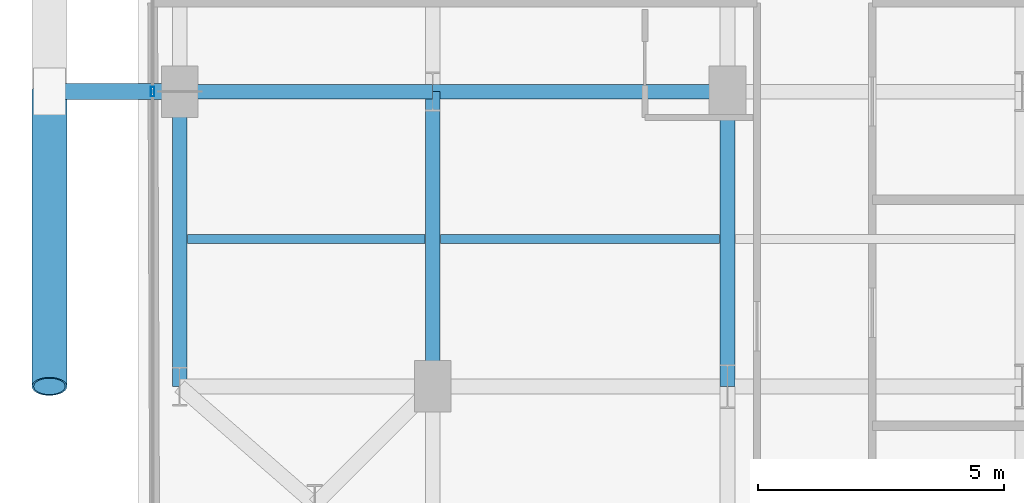
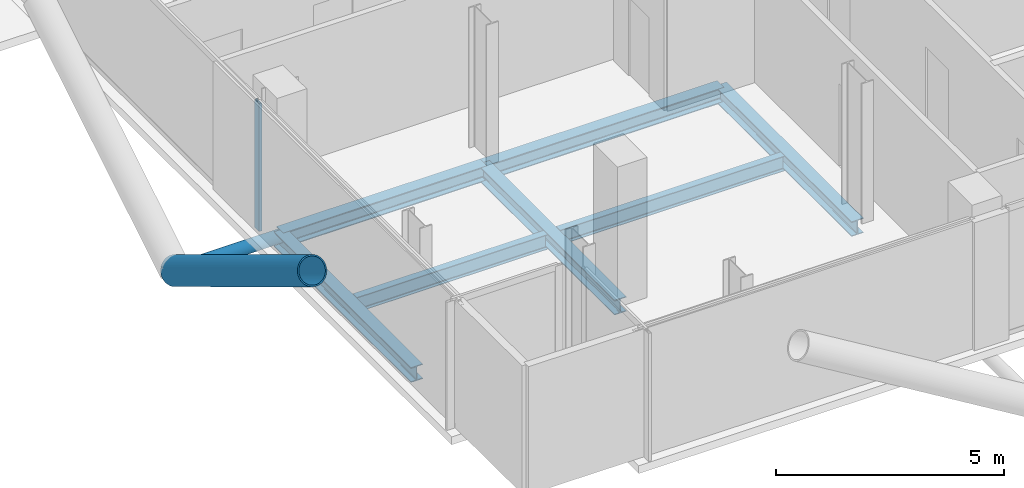
# One storey, part 3 of 25: 7 beams, 3 members, 1 element without a shape of its own.
"""IFC4 building model written with IfcOpenShell, lengths in metres."""

from ifc_helpers import new_model, si_unit, direction, frame, origin, origin_2d, place, context, subcontext, project, spatial, hollow_rectangle, hollow_circle, i_section, extrude, material, layer, layer_set, material_profile, profile_set, type_object, element, aggregate, save


model = new_model("IFC4")

# Units and contexts
model_context = context("Model", 3, precision=1e-05, world=origin(), true_north=direction((0.0, 1.0)))
body_context = subcontext(model_context, "Body", "Model", "MODEL_VIEW")
ifc_project = project(units=[si_unit("LENGTHUNIT", "METRE"), si_unit("AREAUNIT", "SQUARE_METRE"), si_unit("VOLUMEUNIT", "CUBIC_METRE"), si_unit("PLANEANGLEUNIT", "RADIAN"), si_unit("MASSUNIT", "GRAM", prefix="KILO"), si_unit("THERMODYNAMICTEMPERATUREUNIT", "KELVIN"), si_unit("POWERUNIT", "WATT")], contexts=[model_context])

# Site, building, storey
site_placement = place(None, origin())
site = spatial("IfcSite", under=ifc_project, at=site_placement, CompositionType="ELEMENT")
building_placement = place(site_placement, origin())
building = spatial("IfcBuilding", under=site, at=building_placement, Name="Svarakhadi Broadcast Tower", CompositionType="ELEMENT")
storey_placement = place(building_placement, frame((0.0, 0.0, 231.14990234375)))
storey = spatial("IfcBuildingStorey", under=building, at=storey_placement, Name="L57", CompositionType="ELEMENT", Elevation=231.14990234375)

# Beams
ifc_material_1 = material(Name="Steel S355J2 (IS 2062 E350C)", Category="steel")
ifc_material_profile_1 = material_profile(ifc_material_1, i_section(OverallWidth=0.179931640625, OverallDepth=0.39990234375, WebThickness=0.008544921875, FlangeThickness=0.013427734375, FilletRadius=0.02099609375, at=origin_2d()), Name="NPB 400x180x66")
ifc_profile_set_1 = profile_set([ifc_material_profile_1], Name="Steel S355J2 (IS 2062 E350C)")
beam_type_1 = type_object("IfcBeamType", Name="Beam_NPB400", PredefinedType="BEAM", material=ifc_profile_set_1)
beam_1_placement = place(storey_placement, frame((1.010009765625, 9.0, -0.409912109375), z_axis=(1.0, 0.0, 0.0), x_axis=(0.0, 1.0, 0.0)))
element("IfcBeam", 1, at=beam_1_placement, inside=storey, type_object=beam_type_1, Name="L57 Secondary Composite Beam SB001", PredefinedType="BEAM", context=body_context, shape_type="SweptSolid", body=[
    extrude(i_section(OverallWidth=0.179931640625, OverallDepth=0.39990234375, WebThickness=0.008544921875, FlangeThickness=0.013427734375, FilletRadius=0.02099609375, at=origin_2d()), origin(), (0.0, 0.0, 1.0), 4.830078125),
])
beam_2_placement = place(storey_placement, frame((6.159912109375, 9.0, -0.409912109375), z_axis=(1.0, 0.0, 0.0), x_axis=(0.0, 1.0, 0.0)))
element("IfcBeam", 2, at=beam_2_placement, inside=storey, type_object=beam_type_1, Name="L57 Secondary Composite Beam SB006", PredefinedType="BEAM", context=body_context, shape_type="SweptSolid", body=[
    extrude(i_section(OverallWidth=0.179931640625, OverallDepth=0.39990234375, WebThickness=0.008544921875, FlangeThickness=0.013427734375, FilletRadius=0.02099609375, at=origin_2d()), origin(), (0.0, 0.0, 1.0), 5.68017578125),
])

# Curtain wall, member
ifc_material_2 = material(Name="Anodised Bronze Aluminium AA 6063-T6", Category="aluminium")
ifc_layer = layer(ifc_material_2, 0.18994140625)
ifc_layer_set = layer_set([ifc_layer], Name="Anodised Bronze Aluminium AA 6063-T6")
curtain_wall_type = type_object("IfcCurtainWallType", Name="CW_Sys_04", PredefinedType="NOTDEFINED", material=ifc_layer_set)
curtain_wall_placement = place(storey_placement, origin())
curtain_wall = element("IfcCurtainWall", 3, at=curtain_wall_placement, inside=storey, type_object=curtain_wall_type, Name="L57 West Curtain Wall 02", PredefinedType="NOTDEFINED")
ifc_material_profile_2 = material_profile(ifc_material_2, hollow_rectangle(XDim=0.070068359375, YDim=0.18994140625, WallThickness=0.005615234375, at=origin_2d()), Name="ALU MULLION 190x70x6")
ifc_profile_set_2 = profile_set([ifc_material_profile_2], Name="Anodised Bronze Aluminium AA 6063-T6")
member_type_1 = type_object("IfcMemberType", Name="CW_Sys_04_Mul", PredefinedType="MULLION", material=ifc_profile_set_2)
member_1_placement = place(storey_placement, frame((0.300048828125, 12.0, 0.0), z_axis=(0.0, 0.0, 1.0), x_axis=(-1.0, 0.0, 0.0)))
member_1 = element("IfcMember", 4, at=member_1_placement, type_object=member_type_1, Name="CW-04 mullion 2", PredefinedType="MULLION", context=body_context, shape_type="SweptSolid", body=[
    extrude(hollow_rectangle(XDim=0.070068359375, YDim=0.18994140625, WallThickness=0.005615234375, at=origin_2d()), origin(), (0.0, 0.0, 1.0), 3.425048828125),
])
aggregate(curtain_wall, [member_1])

# Members
ifc_material_3 = material(Name="Steel S460ML (IS 2062 E450BR)", Category="steel")
ifc_material_profile_3 = material_profile(ifc_material_3, hollow_circle(Radius=0.35546875, WallThickness=0.034912109375, at=origin_2d()), Name="CHS 711x35")
ifc_profile_set_3 = profile_set([ifc_material_profile_3], Name="Steel S460ML (IS 2062 E450BR)")
member_type_2 = type_object("IfcMemberType", Name="Exo_Brace_CHS711", PredefinedType="BRACE", material=ifc_profile_set_3)
member_2_placement = place(storey_placement, frame((-1.800048828125, 12.0, -0.371826171875), z_axis=(0.0, -0.855283363051, 0.518160562845), x_axis=(1.0, 0.0, 0.0)))
element("IfcMember", 5, at=member_2_placement, inside=storey, type_object=member_type_2, Name="L57 Exposed Bronze Exoskeleton Diagonal W04", PredefinedType="BRACE", context=body_context, shape_type="SweptSolid", body=[
    extrude(hollow_circle(Radius=0.35546875, WallThickness=0.034912109375, at=origin_2d()), origin(), (0.0, 0.0, 1.0), 7.01513671875),
])
ifc_material_profile_4 = material_profile(ifc_material_3, hollow_circle(Radius=0.161865234375, WallThickness=0.01611328125, at=origin_2d()), Name="CHS 323.9x16")
ifc_profile_set_4 = profile_set([ifc_material_profile_4], Name="Steel S460ML (IS 2062 E450BR)")
member_type_3 = type_object("IfcMemberType", Name="Exo_Radial_Strut_Z2", PredefinedType="STRUT", material=ifc_profile_set_4)
member_3_placement = place(storey_placement, frame((-1.800048828125, 12.0, -0.371826171875), z_axis=(1.0, 0.0, 0.0), x_axis=(0.0, 1.0, 0.0)))
element("IfcMember", 6, at=member_3_placement, inside=storey, type_object=member_type_3, Name="L57 Exoskeleton Radial Tie Strut W03", PredefinedType="STRUT", context=body_context, shape_type="SweptSolid", body=[
    extrude(hollow_circle(Radius=0.161865234375, WallThickness=0.01611328125, at=origin_2d()), origin(), (0.0, 0.0, 1.0), 2.650146484375),
])

# Beams
ifc_material_profile_5 = material_profile(ifc_material_1, i_section(OverallWidth=0.300048828125, OverallDepth=0.39990234375, WebThickness=0.013427734375, FlangeThickness=0.02392578125, FilletRadius=0.027099609375, at=origin_2d()), Name="WPB 400x300x155")
ifc_profile_set_5 = profile_set([ifc_material_profile_5], Name="Steel S355J2 (IS 2062 E350C)")
beam_type_2 = type_object("IfcBeamType", Name="Girder_WPB400", PredefinedType="USERDEFINED", material=ifc_profile_set_5)
beam_3_placement = place(storey_placement, frame((0.85009765625, 12.0, -0.409912109375), z_axis=(1.0, 0.0, 0.0), x_axis=(0.0, 1.0, 0.0)))
element("IfcBeam", 7, at=beam_3_placement, inside=storey, type_object=beam_type_2, Name="L57 Primary E-W Girder G015", ObjectType="GIRDER", PredefinedType="USERDEFINED", context=body_context, shape_type="SweptSolid", body=[
    extrude(i_section(OverallWidth=0.300048828125, OverallDepth=0.39990234375, WebThickness=0.013427734375, FlangeThickness=0.02392578125, FilletRadius=0.027099609375, at=origin_2d()), origin(), (0.0, 0.0, 1.0), 5.14990234375),
])
for number, where, z_axis, x_axis, name in (
    (8, (6.0, 12.0, -0.409912109375), (1.0, 0.0, 0.0), (0.0, 1.0, 0.0), "L57 Primary E-W Girder G016"),
    (9, (0.85009765625, 6.0, -0.409912109375), (0.0, 1.0, 0.0), (-1.0, 0.0, 0.0), "L57 Primary N-S Girder G033"),
    (10, (6.0, 6.0, -0.409912109375), (0.0, 1.0, 0.0), (-1.0, 0.0, 0.0), "L57 Primary N-S Girder G038"),
    (11, (12.0, 6.0, -0.409912109375), (0.0, 1.0, 0.0), (-1.0, 0.0, 0.0), "L57 Primary N-S Girder G043"),
):
    element("IfcBeam", number, at=place(storey_placement, frame(where, z_axis=z_axis, x_axis=x_axis)), inside=storey, type_object=beam_type_2, Name=name, ObjectType="GIRDER", PredefinedType="USERDEFINED", context=body_context, shape_type="SweptSolid", body=[
        extrude(i_section(OverallWidth=0.300048828125, OverallDepth=0.39990234375, WebThickness=0.013427734375, FlangeThickness=0.02392578125, FilletRadius=0.027099609375, at=origin_2d()), origin(), (0.0, 0.0, 1.0), 6.0),
    ])

save(model, "model.ifc")
